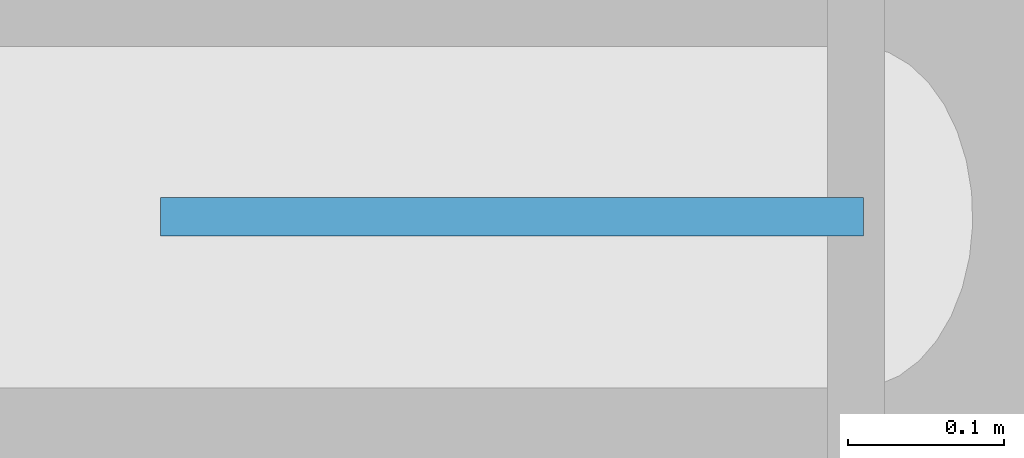
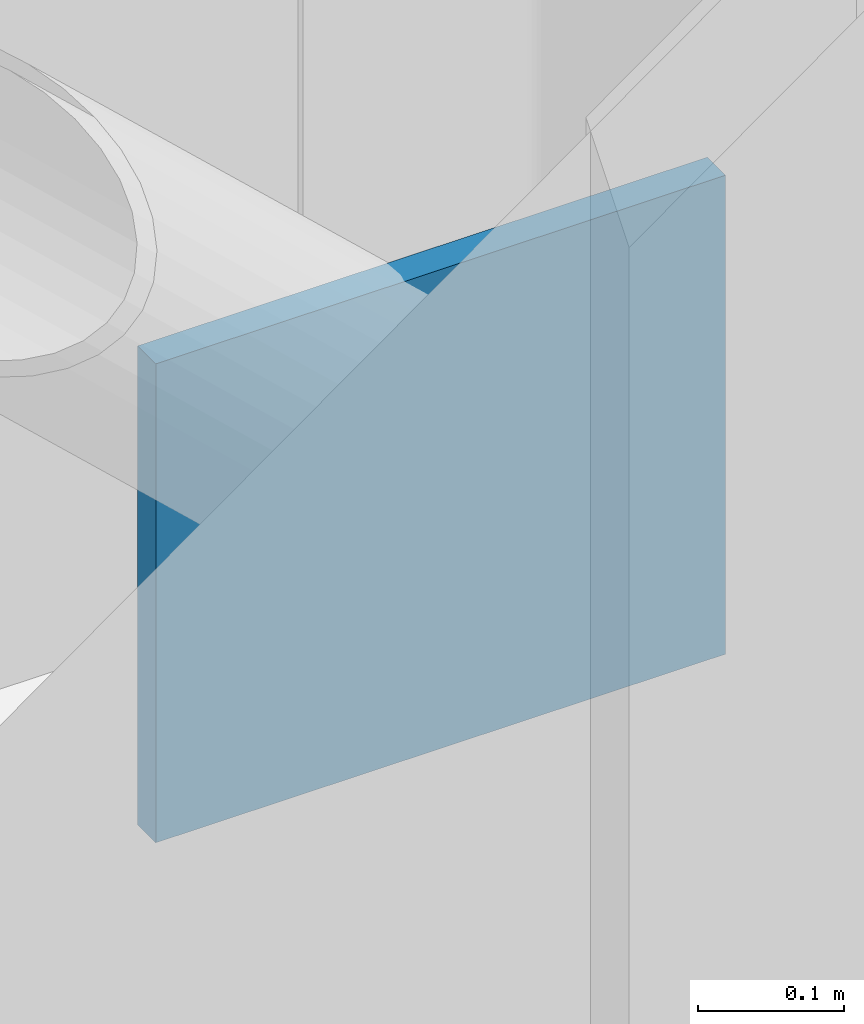
# One storey, part 41 of 51: 1 discrete accessory.
"""IFC4 building model written with IfcOpenShell, lengths in metres."""

from ifc_helpers import new_model, si_unit, direction, frame, origin, origin_2d, place, context, subcontext, project, spatial, rectangle, extrude, material, type_object, element, save


model = new_model("IFC4")

# Units and contexts
model_context = context("Model", 3, precision=1e-05, world=origin(), true_north=direction((0.0, 1.0)))
body_context = subcontext(model_context, "Body", "Model", "MODEL_VIEW")
ifc_project = project(units=[si_unit("LENGTHUNIT", "METRE"), si_unit("AREAUNIT", "SQUARE_METRE"), si_unit("VOLUMEUNIT", "CUBIC_METRE"), si_unit("PLANEANGLEUNIT", "RADIAN"), si_unit("MASSUNIT", "GRAM", prefix="KILO")], contexts=[model_context])

# Site, building, storey
site_placement = place(None, origin())
site = spatial("IfcSite", under=ifc_project, at=site_placement, CompositionType="ELEMENT")
building_placement = place(site_placement, origin())
building = spatial("IfcBuilding", under=site, at=building_placement, Name="Qalvenar Corner Mobility Hub", CompositionType="ELEMENT")
storey_placement = place(building_placement, frame((0.0, 0.0, -4.5)))
storey = spatial("IfcBuildingStorey", under=building, at=storey_placement, Name="B1", CompositionType="ELEMENT", Elevation=-4.5)

# Discrete accessory
ifc_material = material(Name="Steel S355", Category="steel")
discrete_accessory_type = type_object("IfcDiscreteAccessoryType", Name="ACC-GUSSET-PLT", PredefinedType="BRACKET", material=ifc_material)
discrete_accessory_placement = place(storey_placement, frame((33.3798828125, 0.0, 0.0), z_axis=(0.0, 0.0, 1.0), x_axis=(1.0, 0.0, 0.0)))
element("IfcDiscreteAccessory", 1, at=discrete_accessory_placement, inside=storey, type_object=discrete_accessory_type, Name="Brace Base Gusset Plate GP-B-003", PredefinedType="BRACKET", context=body_context, shape_type="SweptSolid", body=[
    extrude(rectangle(XDim=0.449951171875, YDim=0.02490234375, at=origin_2d()), origin(), (0.0, 0.0, 1.0), 0.39990234375),
])

save(model, "model.ifc")
